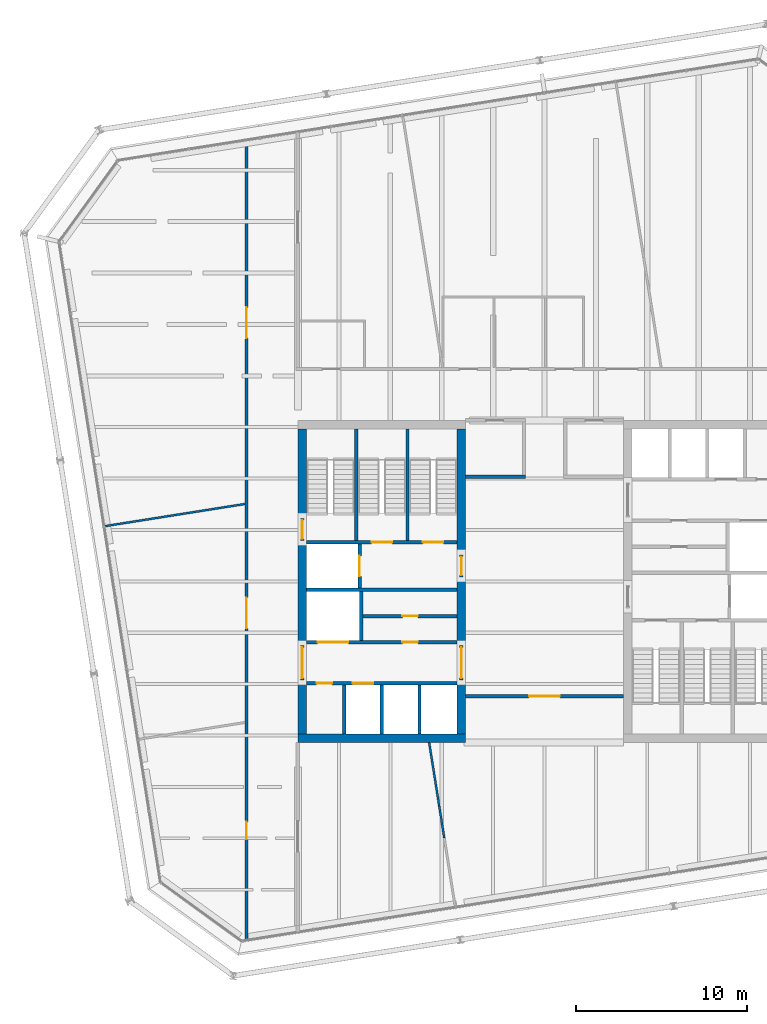
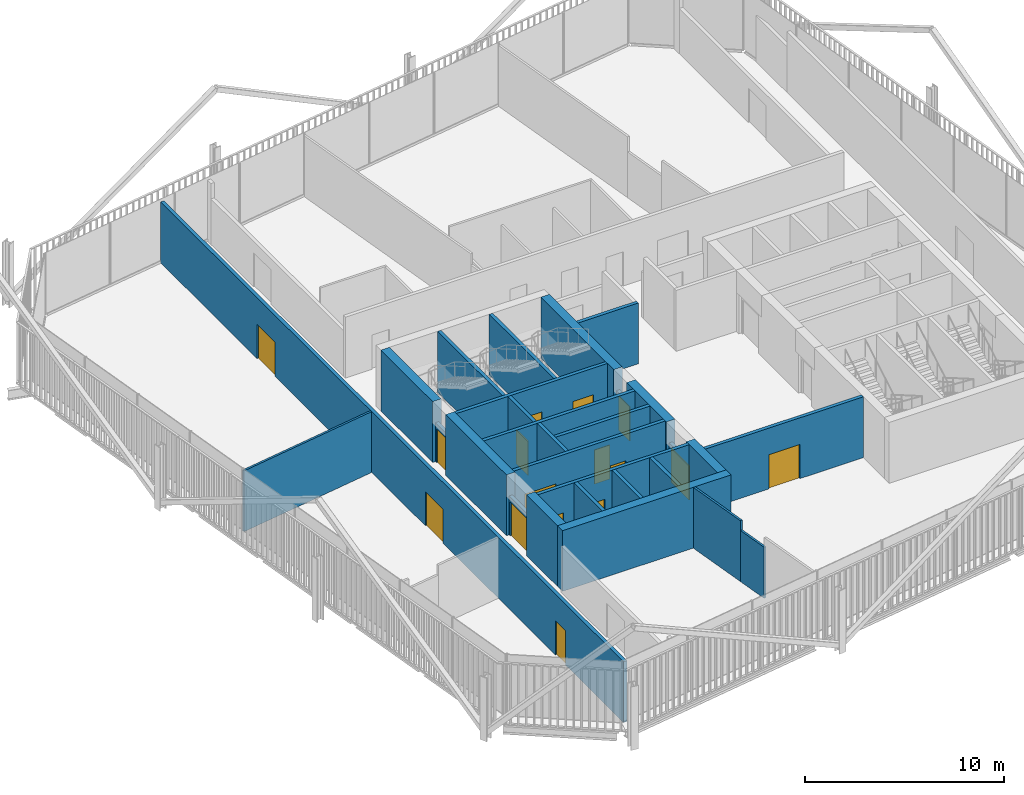
# One storey, part 16 of 20: 29 walls, 16 doors, 16 openings.
"""IFC4 building model written with IfcOpenShell, lengths in metres."""

from ifc_helpers import new_model, si_unit, direction, frame, frame_2d, origin, place, context, subcontext, project, spatial, rectangle, extrude, material, layer, layer_set, type_object, element, fill, save


model = new_model("IFC4")

# Units and contexts
model_context = context("Model", 3, precision=1e-05, world=origin(), true_north=direction((0.0, 1.0)))
body_context = subcontext(model_context, "Body", "Model", "MODEL_VIEW")
ifc_project = project(units=[si_unit("LENGTHUNIT", "METRE"), si_unit("AREAUNIT", "SQUARE_METRE"), si_unit("VOLUMEUNIT", "CUBIC_METRE"), si_unit("PLANEANGLEUNIT", "RADIAN"), si_unit("MASSUNIT", "GRAM", prefix="KILO")], contexts=[model_context])

# Site, building, storey
site_placement = place(None, origin())
site = spatial("IfcSite", under=ifc_project, at=site_placement, CompositionType="ELEMENT")
building_placement = place(site_placement, origin())
building = spatial("IfcBuilding", under=site, at=building_placement, Name="Millrace Tower", CompositionType="ELEMENT")
storey_placement = place(building_placement, frame((0.0, 0.0, 204.699951171875)))
storey = spatial("IfcBuildingStorey", under=building, at=storey_placement, Name="L46", CompositionType="ELEMENT", Elevation=204.699951171875)

# Walls
ifc_material_1 = material(Name="Concrete C60", Category="concrete")
ifc_layer_1 = layer(ifc_material_1, 0.5)
ifc_layer_set_1 = layer_set([ifc_layer_1], Name="Concrete C60")
wall_type_1 = type_object("IfcWallType", Name="Core wall 500 Concrete C60", PredefinedType="SHEAR", material=ifc_layer_set_1)
wall_1_placement = place(storey_placement, frame((-14.39990234375, -9.14990234375, 0.0), z_axis=(0.0, 0.0, 1.0), x_axis=(1.0, 0.0, 0.0)))
element("IfcWall", 1, at=wall_1_placement, inside=storey, type_object=wall_type_1, Name="Core wall W L46", PredefinedType="SHEAR", context=body_context, shape_type="SweptSolid", body=[
    extrude(rectangle(XDim=9.7998046875, YDim=0.5, at=frame_2d((4.89990234375, 0.0))), origin(), (0.0, 0.0, 1.0), 3.739990234375),
])
wall_2_placement = place(storey_placement, frame((-14.14990234375, -8.89990234375, 0.0), z_axis=(0.0, 0.0, 1.0), x_axis=(0.0, 1.0, 0.0)))
element("IfcWall", 2, at=wall_2_placement, inside=storey, type_object=wall_type_1, Name="Core wall W L46", PredefinedType="SHEAR", context=body_context, shape_type="SweptSolid", body=[
    extrude(rectangle(XDim=3.14990234375, YDim=0.5, at=frame_2d((1.574951171875, 0.0))), origin(), (0.0, 0.0, 1.0), 3.739990234375),
])
wall_3_placement = place(storey_placement, frame((-14.14990234375, -3.75, 0.0), z_axis=(0.0, 0.0, 1.0), x_axis=(0.0, 1.0, 0.0)))
element("IfcWall", 3, at=wall_3_placement, inside=storey, type_object=wall_type_1, Name="Core wall W L46", PredefinedType="SHEAR", context=body_context, shape_type="SweptSolid", body=[
    extrude(rectangle(XDim=6.1298828125, YDim=0.5, at=frame_2d((3.06494140625, 0.0))), origin(), (0.0, 0.0, 1.0), 3.739990234375),
])
wall_4_placement = place(storey_placement, frame((-14.14990234375, 3.679931640625, 0.0), z_axis=(0.0, 0.0, 1.0), x_axis=(0.0, 1.0, 0.0)))
element("IfcWall", 4, at=wall_4_placement, inside=storey, type_object=wall_type_1, Name="Core wall W L46", PredefinedType="SHEAR", context=body_context, shape_type="SweptSolid", body=[
    extrude(rectangle(XDim=5.219970703125, YDim=0.5, at=frame_2d((2.60986328125, 0.0))), origin(), (0.0, 0.0, 1.0), 3.739990234375),
])
wall_5_placement = place(storey_placement, frame((-4.85009765625, -8.89990234375, 0.0), z_axis=(0.0, 0.0, 1.0), x_axis=(0.0, 1.0, 0.0)))
element("IfcWall", 5, at=wall_5_placement, inside=storey, type_object=wall_type_1, Name="Core wall W L46", PredefinedType="SHEAR", context=body_context, shape_type="SweptSolid", body=[
    extrude(rectangle(XDim=3.14990234375, YDim=0.5, at=frame_2d((1.574951171875, 0.0))), origin(), (0.0, 0.0, 1.0), 3.739990234375),
])
wall_6_placement = place(storey_placement, frame((-4.85009765625, -3.75, 0.0), z_axis=(0.0, 0.0, 1.0), x_axis=(0.0, 1.0, 0.0)))
element("IfcWall", 6, at=wall_6_placement, inside=storey, type_object=wall_type_1, Name="Core wall W L46", PredefinedType="SHEAR", context=body_context, shape_type="SweptSolid", body=[
    extrude(rectangle(XDim=4.0, YDim=0.5, at=frame_2d((2.0, 0.0))), origin(), (0.0, 0.0, 1.0), 3.739990234375),
])
wall_7_placement = place(storey_placement, frame((-4.85009765625, 1.550048828125, 0.0), z_axis=(0.0, 0.0, 1.0), x_axis=(0.0, 1.0, 0.0)))
element("IfcWall", 7, at=wall_7_placement, inside=storey, type_object=wall_type_1, Name="Core wall W L46", PredefinedType="SHEAR", context=body_context, shape_type="SweptSolid", body=[
    extrude(rectangle(XDim=7.349853515625, YDim=0.5, at=frame_2d((3.6748046875, 0.0))), origin(), (0.0, 0.0, 1.0), 3.739990234375),
])

# Wall, opening, door
ifc_material_2 = material(Name="Masonry partition, fire-rated", Category="masonry")
ifc_layer_2 = layer(ifc_material_2, 0.199951171875)
ifc_layer_set_2 = layer_set([ifc_layer_2], Name="Masonry partition, fire-rated")
wall_type_2 = type_object("IfcWallType", Name="Corridor wall 200", PredefinedType="PARTITIONING", material=ifc_layer_set_2)
wall_8_placement = place(storey_placement, frame((-4.60009765625, -6.699951171875, 0.0), z_axis=(0.0, 0.0, 1.0), x_axis=(1.0, 0.0, 0.0)))
wall_8 = element("IfcWall", 8, at=wall_8_placement, inside=storey, type_object=wall_type_2, Name="Corridor wall L46", PredefinedType="PARTITIONING", context=body_context, shape_type="SweptSolid", body=[
    extrude(rectangle(XDim=9.2001953125, YDim=0.199951171875, at=frame_2d((4.60009765625, 0.0))), origin(), (0.0, 0.0, 1.0), 3.739990234375),
])
opening_1_placement = place(wall_8_placement, frame((3.699951171875, 0.0, 0.0)))
opening_1 = element("IfcOpeningElement", 9, at=opening_1_placement, cuts=wall_8, Name="Opening 46-P015", PredefinedType="OPENING", context=body_context, shape_type="SweptSolid", body=[
    extrude(rectangle(XDim=1.800048828125, YDim=2.10009765625, at=frame_2d((0.89990234375, 1.050048828125))), frame((0.0, 0.10986328125, 0.0), z_axis=(0.0, -1.0, 0.0), x_axis=(1.0, 0.0, 0.0)), (0.0, 0.0, 1.0), 0.219970703125),
])
ifc_material_3 = material(Name="Steel door set, fire-rated", Category="steel")
door_type_1 = type_object("IfcDoorType", Name="Corridor door 1800 x 2100", OperationType="DOUBLE_DOOR_SINGLE_SWING", PredefinedType="DOOR", material=ifc_material_3)
door_1_placement = place(opening_1_placement, origin())
door_1 = element("IfcDoor", 10, at=door_1_placement, inside=storey, type_object=door_type_1, Name="Door 46-P015", OperationType="DOUBLE_DOOR_SINGLE_SWING", OverallHeight=2.10009765625, OverallWidth=1.800048828125, PredefinedType="DOOR", context=body_context, shape_type="SweptSolid", body=[
    extrude(rectangle(XDim=1.800048828125, YDim=2.10009765625, at=frame_2d((0.89990234375, 1.050048828125))), frame((0.0, 0.02490234375, 0.0), z_axis=(0.0, -1.0, 0.0), x_axis=(1.0, 0.0, 0.0)), (0.0, 0.0, 1.0), 0.050048828125),
])
fill(opening_1, door_1)

# Wall
wall_9_placement = place(storey_placement, frame((-4.60009765625, 6.10009765625, 0.0), z_axis=(0.0, 0.0, 1.0), x_axis=(1.0, 0.0, 0.0)))
element("IfcWall", 11, at=wall_9_placement, inside=storey, type_object=wall_type_2, Name="Corridor wall L46", PredefinedType="PARTITIONING", context=body_context, shape_type="SweptSolid", body=[
    extrude(rectangle(XDim=3.5, YDim=0.199951171875, at=frame_2d((1.75, 0.0))), origin(), (0.0, 0.0, 1.0), 3.739990234375),
])

# Wall, openings, doors
wall_10_placement = place(storey_placement, frame((-17.39990234375, -20.9111328125, 0.0), z_axis=(0.0, 0.0, 1.0), x_axis=(0.0, 1.0, 0.0)))
wall_10 = element("IfcWall", 12, at=wall_10_placement, inside=storey, type_object=wall_type_2, Name="Corridor wall L46", PredefinedType="PARTITIONING", context=body_context, shape_type="SweptSolid", body=[
    extrude(rectangle(XDim=46.634033203125, YDim=0.199951171875, at=frame_2d((23.31689453125, 0.0))), origin(), (0.0, 0.0, 1.0), 3.739990234375),
])
opening_2_placement = place(wall_10_placement, frame((5.8681640625, 0.0, 0.0)))
opening_2 = element("IfcOpeningElement", 13, at=opening_2_placement, cuts=wall_10, Name="Opening 46-P003", PredefinedType="OPENING", context=body_context, shape_type="SweptSolid", body=[
    extrude(rectangle(XDim=1.0, YDim=2.10009765625, at=frame_2d((0.5, 1.050048828125))), frame((0.0, 0.10986328125, 0.0), z_axis=(0.0, -1.0, 0.0), x_axis=(1.0, 0.0, 0.0)), (0.0, 0.0, 1.0), 0.219970703125),
])
opening_3_placement = place(wall_10_placement, frame((18.16455078125, 0.0, 0.0)))
opening_3 = element("IfcOpeningElement", 14, at=opening_3_placement, cuts=wall_10, Name="Opening 46-P004", PredefinedType="OPENING", context=body_context, shape_type="SweptSolid", body=[
    extrude(rectangle(XDim=1.800048828125, YDim=2.10009765625, at=frame_2d((0.89990234375, 1.050048828125))), frame((0.0, 0.10986328125, 0.0), z_axis=(0.0, -1.0, 0.0), x_axis=(1.0, 0.0, 0.0)), (0.0, 0.0, 1.0), 0.219970703125),
])
opening_4_placement = place(wall_10_placement, frame((35.11328125, 0.0, 0.0)))
opening_4 = element("IfcOpeningElement", 15, at=opening_4_placement, cuts=wall_10, Name="Opening 46-P005", PredefinedType="OPENING", context=body_context, shape_type="SweptSolid", body=[
    extrude(rectangle(XDim=1.800048828125, YDim=2.10009765625, at=frame_2d((0.89990234375, 1.050048828125))), frame((0.0, 0.10986328125, 0.0), z_axis=(0.0, -1.0, 0.0), x_axis=(1.0, 0.0, 0.0)), (0.0, 0.0, 1.0), 0.219970703125),
])
ifc_material_4 = material(Name="Steel door set, fire-rated", Category="steel")
door_type_2 = type_object("IfcDoorType", Name="Corridor door 1000 x 2100", OperationType="SINGLE_SWING_LEFT", PredefinedType="DOOR", material=ifc_material_4)
door_2_placement = place(opening_2_placement, origin())
door_2 = element("IfcDoor", 16, at=door_2_placement, inside=storey, type_object=door_type_2, Name="Door 46-P003", OperationType="SINGLE_SWING_LEFT", OverallHeight=2.10009765625, OverallWidth=1.0, PredefinedType="DOOR", context=body_context, shape_type="SweptSolid", body=[
    extrude(rectangle(XDim=1.0, YDim=2.10009765625, at=frame_2d((0.5, 1.050048828125))), frame((0.0, 0.02490234375, 0.0), z_axis=(0.0, -1.0, 0.0), x_axis=(1.0, 0.0, 0.0)), (0.0, 0.0, 1.0), 0.050048828125),
])
fill(opening_2, door_2)
door_3_placement = place(opening_3_placement, origin())
door_3 = element("IfcDoor", 17, at=door_3_placement, inside=storey, type_object=door_type_1, Name="Door 46-P004", OperationType="DOUBLE_DOOR_SINGLE_SWING", OverallHeight=2.10009765625, OverallWidth=1.800048828125, PredefinedType="DOOR", context=body_context, shape_type="SweptSolid", body=[
    extrude(rectangle(XDim=1.800048828125, YDim=2.10009765625, at=frame_2d((0.89990234375, 1.050048828125))), frame((0.0, 0.02490234375, 0.0), z_axis=(0.0, -1.0, 0.0), x_axis=(1.0, 0.0, 0.0)), (0.0, 0.0, 1.0), 0.050048828125),
])
fill(opening_3, door_3)
door_4_placement = place(opening_4_placement, frame((1.800048828125, 0.0, 0.0), z_axis=(0.0, 0.0, 1.0), x_axis=(-1.0, 0.0, 0.0)))
door_4 = element("IfcDoor", 18, at=door_4_placement, inside=storey, type_object=door_type_1, Name="Door 46-P005", OperationType="DOUBLE_DOOR_SINGLE_SWING", OverallHeight=2.10009765625, OverallWidth=1.800048828125, PredefinedType="DOOR", context=body_context, shape_type="SweptSolid", body=[
    extrude(rectangle(XDim=1.800048828125, YDim=2.10009765625, at=frame_2d((0.89990234375, 1.050048828125))), frame((0.0, 0.02490234375, 0.0), z_axis=(0.0, -1.0, 0.0), x_axis=(1.0, 0.0, 0.0)), (0.0, 0.0, 1.0), 0.050048828125),
])
fill(opening_4, door_4)

ifc_material_5 = material(Name="Masonry partition, fire-rated", Category="masonry")
ifc_layer_3 = layer(ifc_material_5, 0.199951171875)
ifc_layer_set_3 = layer_set([ifc_layer_3], Name="Masonry partition, fire-rated")
wall_type_3 = type_object("IfcWallType", Name="Lift shaft wall 200", PredefinedType="PARTITIONING", material=ifc_layer_set_3)
wall_11_placement = place(storey_placement, frame((-13.89990234375, -5.949951171875, 0.0), z_axis=(0.0, 0.0, 1.0), x_axis=(1.0, 0.0, 0.0)))
wall_11 = element("IfcWall", 19, at=wall_11_placement, inside=storey, type_object=wall_type_3, Name="Lift shaft wall W L46", PredefinedType="PARTITIONING", context=body_context, shape_type="SweptSolid", body=[
    extrude(rectangle(XDim=8.7998046875, YDim=0.199951171875, at=frame_2d((4.39990234375, 0.0))), origin(), (0.0, 0.0, 1.0), 3.739990234375),
])
opening_5_placement = place(wall_11_placement, frame((2.699951171875, 0.0, 0.0)))
opening_5 = element("IfcOpeningElement", 20, at=opening_5_placement, cuts=wall_11, Name="Opening 46-LD02", PredefinedType="OPENING", context=body_context, shape_type="SweptSolid", body=[
    extrude(rectangle(XDim=1.199951171875, YDim=2.10009765625, at=frame_2d((0.60009765625, 1.050048828125))), frame((0.0, 0.10986328125, 0.0), z_axis=(0.0, -1.0, 0.0), x_axis=(1.0, 0.0, 0.0)), (0.0, 0.0, 1.0), 0.219970703125),
])
opening_6_placement = place(wall_11_placement, frame((0.60009765625, 0.0, 0.0)))
opening_6 = element("IfcOpeningElement", 21, at=opening_6_placement, cuts=wall_11, Name="Opening 46-C005", PredefinedType="OPENING", context=body_context, shape_type="SweptSolid", body=[
    extrude(rectangle(XDim=0.89990234375, YDim=2.10009765625, at=frame_2d((0.449951171875, 1.050048828125))), frame((0.0, 0.10986328125, 0.0), z_axis=(0.0, -1.0, 0.0), x_axis=(1.0, 0.0, 0.0)), (0.0, 0.0, 1.0), 0.219970703125),
])
ifc_material_6 = material(Name="Stainless steel, fire-rated", Category="steel")
door_type_3 = type_object("IfcDoorType", Name="Lift landing door 1200 x 2100", OperationType="DOUBLE_DOOR_SLIDING", PredefinedType="DOOR", material=ifc_material_6)
door_5_placement = place(opening_5_placement, origin())
door_5 = element("IfcDoor", 22, at=door_5_placement, inside=storey, type_object=door_type_3, Name="Lift landing door LF2 L46", OperationType="DOUBLE_DOOR_SLIDING", OverallHeight=2.10009765625, OverallWidth=1.199951171875, PredefinedType="DOOR", context=body_context, shape_type="SweptSolid", body=[
    extrude(rectangle(XDim=1.199951171875, YDim=2.10009765625, at=frame_2d((0.60009765625, 1.050048828125))), frame((0.0, 0.02490234375, 0.0), z_axis=(0.0, -1.0, 0.0), x_axis=(1.0, 0.0, 0.0)), (0.0, 0.0, 1.0), 0.050048828125),
])
fill(opening_5, door_5)
ifc_material_7 = material(Name="Steel door, fire-rated", Category="steel")
door_type_4 = type_object("IfcDoorType", Name="Service room door 900 x 2100", OperationType="SINGLE_SWING_LEFT", PredefinedType="DOOR", material=ifc_material_7)
door_6_placement = place(opening_6_placement, frame((0.89990234375, 0.0, 0.0), z_axis=(0.0, 0.0, 1.0), x_axis=(-1.0, 0.0, 0.0)))
door_6 = element("IfcDoor", 23, at=door_6_placement, inside=storey, type_object=door_type_4, Name="Service room door 46-C005", OperationType="SINGLE_SWING_RIGHT", OverallHeight=2.10009765625, OverallWidth=0.89990234375, PredefinedType="DOOR", context=body_context, shape_type="SweptSolid", body=[
    extrude(rectangle(XDim=0.89990234375, YDim=2.10009765625, at=frame_2d((0.449951171875, 1.050048828125))), frame((0.0, 0.02490234375, 0.0), z_axis=(0.0, -1.0, 0.0), x_axis=(1.0, 0.0, 0.0)), (0.0, 0.0, 1.0), 0.050048828125),
])
fill(opening_6, door_6)

wall_12_placement = place(storey_placement, frame((-13.89990234375, -3.550048828125, 0.0), z_axis=(0.0, 0.0, 1.0), x_axis=(1.0, 0.0, 0.0)))
wall_12 = element("IfcWall", 24, at=wall_12_placement, inside=storey, type_object=wall_type_3, Name="Lift shaft wall W L46", PredefinedType="PARTITIONING", context=body_context, shape_type="SweptSolid", body=[
    extrude(rectangle(XDim=8.7998046875, YDim=0.199951171875, at=frame_2d((4.39990234375, 0.0))), origin(), (0.0, 0.0, 1.0), 3.739990234375),
])
opening_7_placement = place(wall_12_placement, frame((0.64990234375, 0.0, 0.0)))
opening_7 = element("IfcOpeningElement", 25, at=opening_7_placement, cuts=wall_12, Name="Opening 46-LD05", PredefinedType="OPENING", context=body_context, shape_type="SweptSolid", body=[
    extrude(rectangle(XDim=1.800048828125, YDim=2.10009765625, at=frame_2d((0.89990234375, 1.050048828125))), frame((0.0, 0.10986328125, 0.0), z_axis=(0.0, -1.0, 0.0), x_axis=(1.0, 0.0, 0.0)), (0.0, 0.0, 1.0), 0.219970703125),
])
opening_8_placement = place(wall_12_placement, frame((5.60009765625, 0.0, 0.0)))
opening_8 = element("IfcOpeningElement", 26, at=opening_8_placement, cuts=wall_12, Name="Opening 46-C006", PredefinedType="OPENING", context=body_context, shape_type="SweptSolid", body=[
    extrude(rectangle(XDim=0.89990234375, YDim=2.10009765625, at=frame_2d((0.449951171875, 1.050048828125))), frame((0.0, 0.10986328125, 0.0), z_axis=(0.0, -1.0, 0.0), x_axis=(1.0, 0.0, 0.0)), (0.0, 0.0, 1.0), 0.219970703125),
])
ifc_material_8 = material(Name="Stainless steel, fire-rated", Category="steel")
door_type_5 = type_object("IfcDoorType", Name="Lift landing door 1800 x 2100", OperationType="DOUBLE_DOOR_SLIDING", PredefinedType="DOOR", material=ifc_material_8)
door_7_placement = place(opening_7_placement, origin())
door_7 = element("IfcDoor", 27, at=door_7_placement, inside=storey, type_object=door_type_5, Name="Lift landing door LF5 L46", OperationType="DOUBLE_DOOR_SLIDING", OverallHeight=2.10009765625, OverallWidth=1.800048828125, PredefinedType="DOOR", context=body_context, shape_type="SweptSolid", body=[
    extrude(rectangle(XDim=1.800048828125, YDim=2.10009765625, at=frame_2d((0.89990234375, 1.050048828125))), frame((0.0, 0.02490234375, 0.0), z_axis=(0.0, -1.0, 0.0), x_axis=(1.0, 0.0, 0.0)), (0.0, 0.0, 1.0), 0.050048828125),
])
fill(opening_7, door_7)
door_8_placement = place(opening_8_placement, frame((0.89990234375, 0.0, 0.0), z_axis=(0.0, 0.0, 1.0), x_axis=(-1.0, 0.0, 0.0)))
door_8 = element("IfcDoor", 28, at=door_8_placement, inside=storey, type_object=door_type_4, Name="Service room door 46-C006", OperationType="SINGLE_SWING_LEFT", OverallHeight=2.10009765625, OverallWidth=0.89990234375, PredefinedType="DOOR", context=body_context, shape_type="SweptSolid", body=[
    extrude(rectangle(XDim=0.89990234375, YDim=2.10009765625, at=frame_2d((0.449951171875, 1.050048828125))), frame((0.0, 0.02490234375, 0.0), z_axis=(0.0, -1.0, 0.0), x_axis=(1.0, 0.0, 0.0)), (0.0, 0.0, 1.0), 0.050048828125),
])
fill(opening_8, door_8)

# Wall
wall_13_placement = place(storey_placement, frame((-13.89990234375, -0.5, 0.0), z_axis=(0.0, 0.0, 1.0), x_axis=(1.0, 0.0, 0.0)))
element("IfcWall", 29, at=wall_13_placement, inside=storey, type_object=wall_type_3, Name="Lift shaft wall W L46", PredefinedType="PARTITIONING", context=body_context, shape_type="SweptSolid", body=[
    extrude(rectangle(XDim=8.7998046875, YDim=0.199951171875, at=frame_2d((4.39990234375, 0.0))), origin(), (0.0, 0.0, 1.0), 3.739990234375),
])

# Wall, opening, door
wall_14_placement = place(storey_placement, frame((-10.800048828125, -0.39990234375, 0.0), z_axis=(0.0, 0.0, 1.0), x_axis=(0.0, 1.0, 0.0)))
wall_14 = element("IfcWall", 30, at=wall_14_placement, inside=storey, type_object=wall_type_3, Name="Lift shaft wall W L46", PredefinedType="PARTITIONING", context=body_context, shape_type="SweptSolid", body=[
    extrude(rectangle(XDim=2.579833984375, YDim=0.199951171875, at=frame_2d((1.2900390625, 0.0))), origin(), (0.0, 0.0, 1.0), 3.739990234375),
])
opening_9_placement = place(wall_14_placement, frame((0.68994140625, 0.0, 0.0)))
opening_9 = element("IfcOpeningElement", 31, at=opening_9_placement, cuts=wall_14, Name="Opening 46-LD08", PredefinedType="OPENING", context=body_context, shape_type="SweptSolid", body=[
    extrude(rectangle(XDim=1.199951171875, YDim=2.10009765625, at=frame_2d((0.60009765625, 1.050048828125))), frame((0.0, 0.10986328125, 0.0), z_axis=(0.0, -1.0, 0.0), x_axis=(1.0, 0.0, 0.0)), (0.0, 0.0, 1.0), 0.219970703125),
])
door_9_placement = place(opening_9_placement, origin())
door_9 = element("IfcDoor", 32, at=door_9_placement, inside=storey, type_object=door_type_3, Name="Lift landing door LF8 L46", OperationType="DOUBLE_DOOR_SLIDING", OverallHeight=2.10009765625, OverallWidth=1.199951171875, PredefinedType="DOOR", context=body_context, shape_type="SweptSolid", body=[
    extrude(rectangle(XDim=1.199951171875, YDim=2.10009765625, at=frame_2d((0.60009765625, 1.050048828125))), frame((0.0, 0.02490234375, 0.0), z_axis=(0.0, -1.0, 0.0), x_axis=(1.0, 0.0, 0.0)), (0.0, 0.0, 1.0), 0.050048828125),
])
fill(opening_9, door_9)

# Walls
for number, where, z_axis, x_axis, name in (
    (33, (-11.699951171875, -8.89990234375, 0.0), (0.0, 0.0, 1.0), (0.0, 1.0, 0.0), "Lift shaft wall W L46"),
    (34, (-9.5, -8.89990234375, 0.0), (0.0, 0.0, 1.0), (0.0, 1.0, 0.0), "Lift shaft wall W L46"),
    (35, (-7.300048828125, -8.89990234375, 0.0), (0.0, 0.0, 1.0), (0.0, 1.0, 0.0), "Lift shaft wall W L46"),
    (36, (-10.699951171875, -3.449951171875, 0.0), (0.0, 0.0, 1.0), (0.0, 1.0, 0.0), "Lift shaft wall W L46"),
):
    element("IfcWall", number, at=place(storey_placement, frame(where, z_axis=z_axis, x_axis=x_axis)), inside=storey, type_object=wall_type_3, Name=name, PredefinedType="PARTITIONING", context=body_context, shape_type="SweptSolid", body=[
        extrude(rectangle(XDim=2.849853515625, YDim=0.199951171875, at=frame_2d((1.4248046875, 0.0))), origin(), (0.0, 0.0, 1.0), 3.739990234375),
    ])

# Wall, opening, door
ifc_material_9 = material(Name="Masonry partition, fire-rated", Category="masonry")
ifc_layer_4 = layer(ifc_material_9, 0.199951171875)
ifc_layer_set_4 = layer_set([ifc_layer_4], Name="Masonry partition, fire-rated")
wall_type_4 = type_object("IfcWallType", Name="Lobby wall 200", PredefinedType="PARTITIONING", material=ifc_layer_set_4)
wall_15_placement = place(storey_placement, frame((-14.14990234375, -5.75, 0.0), z_axis=(0.0, 0.0, 1.0), x_axis=(0.0, 1.0, 0.0)))
wall_15 = element("IfcWall", 37, at=wall_15_placement, inside=storey, type_object=wall_type_4, Name="Lobby wall W L46", PredefinedType="PARTITIONING", context=body_context, shape_type="SweptSolid", body=[
    extrude(rectangle(XDim=2.0, YDim=0.199951171875, at=frame_2d((1.0, 0.0))), origin(), (0.0, 0.0, 1.0), 2.400146484375),
])
opening_10_placement = place(wall_15_placement, frame((0.10009765625, 0.0, 0.0)))
opening_10 = element("IfcOpeningElement", 38, at=opening_10_placement, cuts=wall_15, Name="Opening 46-C001", PredefinedType="OPENING", context=body_context, shape_type="SweptSolid", body=[
    extrude(rectangle(XDim=1.800048828125, YDim=2.10009765625, at=frame_2d((0.89990234375, 1.050048828125))), frame((0.0, 0.10986328125, 0.0), z_axis=(0.0, -1.0, 0.0), x_axis=(1.0, 0.0, 0.0)), (0.0, 0.0, 1.0), 0.219970703125),
])
ifc_material_10 = material(Name="Steel door, fire-rated", Category="steel")
door_type_6 = type_object("IfcDoorType", Name="Lobby door 1800 x 2100", OperationType="DOUBLE_DOOR_SINGLE_SWING", PredefinedType="DOOR", material=ifc_material_10)
door_10_placement = place(opening_10_placement, origin())
door_10 = element("IfcDoor", 39, at=door_10_placement, inside=storey, type_object=door_type_6, Name="Lobby door 46-C001", OperationType="DOUBLE_DOOR_SINGLE_SWING", OverallHeight=2.10009765625, OverallWidth=1.800048828125, PredefinedType="DOOR", context=body_context, shape_type="SweptSolid", body=[
    extrude(rectangle(XDim=1.800048828125, YDim=2.10009765625, at=frame_2d((0.89990234375, 1.050048828125))), frame((0.0, 0.02490234375, 0.0), z_axis=(0.0, -1.0, 0.0), x_axis=(1.0, 0.0, 0.0)), (0.0, 0.0, 1.0), 0.050048828125),
])
fill(opening_10, door_10)

wall_16_placement = place(storey_placement, frame((-4.85009765625, -5.75, 0.0), z_axis=(0.0, 0.0, 1.0), x_axis=(0.0, 1.0, 0.0)))
wall_16 = element("IfcWall", 40, at=wall_16_placement, inside=storey, type_object=wall_type_4, Name="Lobby wall W L46", PredefinedType="PARTITIONING", context=body_context, shape_type="SweptSolid", body=[
    extrude(rectangle(XDim=2.0, YDim=0.199951171875, at=frame_2d((1.0, 0.0))), origin(), (0.0, 0.0, 1.0), 2.400146484375),
])
opening_11_placement = place(wall_16_placement, frame((0.10009765625, 0.0, 0.0)))
opening_11 = element("IfcOpeningElement", 41, at=opening_11_placement, cuts=wall_16, Name="Opening 46-C003", PredefinedType="OPENING", context=body_context, shape_type="SweptSolid", body=[
    extrude(rectangle(XDim=1.800048828125, YDim=2.10009765625, at=frame_2d((0.89990234375, 1.050048828125))), frame((0.0, 0.10986328125, 0.0), z_axis=(0.0, -1.0, 0.0), x_axis=(1.0, 0.0, 0.0)), (0.0, 0.0, 1.0), 0.219970703125),
])
door_11_placement = place(opening_11_placement, frame((1.800048828125, 0.0, 0.0), z_axis=(0.0, 0.0, 1.0), x_axis=(-1.0, 0.0, 0.0)))
door_11 = element("IfcDoor", 42, at=door_11_placement, inside=storey, type_object=door_type_6, Name="Lobby door 46-C003", OperationType="DOUBLE_DOOR_SINGLE_SWING", OverallHeight=2.10009765625, OverallWidth=1.800048828125, PredefinedType="DOOR", context=body_context, shape_type="SweptSolid", body=[
    extrude(rectangle(XDim=1.800048828125, YDim=2.10009765625, at=frame_2d((0.89990234375, 1.050048828125))), frame((0.0, 0.02490234375, 0.0), z_axis=(0.0, -1.0, 0.0), x_axis=(1.0, 0.0, 0.0)), (0.0, 0.0, 1.0), 0.050048828125),
])
fill(opening_11, door_11)

wall_17_placement = place(storey_placement, frame((-4.85009765625, 0.25, 0.0), z_axis=(0.0, 0.0, 1.0), x_axis=(0.0, 1.0, 0.0)))
wall_17 = element("IfcWall", 43, at=wall_17_placement, inside=storey, type_object=wall_type_4, Name="Lobby wall W L46", PredefinedType="PARTITIONING", context=body_context, shape_type="SweptSolid", body=[
    extrude(rectangle(XDim=1.300048828125, YDim=0.199951171875, at=frame_2d((0.64990234375, 0.0))), origin(), (0.0, 0.0, 1.0), 2.400146484375),
])
opening_12_placement = place(wall_17_placement, frame((0.10009765625, 0.0, 0.0)))
opening_12 = element("IfcOpeningElement", 44, at=opening_12_placement, cuts=wall_17, Name="Opening 46-C004", PredefinedType="OPENING", context=body_context, shape_type="SweptSolid", body=[
    extrude(rectangle(XDim=1.10009765625, YDim=2.10009765625, at=frame_2d((0.550048828125, 1.050048828125))), frame((0.0, 0.10986328125, 0.0), z_axis=(0.0, -1.0, 0.0), x_axis=(1.0, 0.0, 0.0)), (0.0, 0.0, 1.0), 0.219970703125),
])
ifc_material_11 = material(Name="Steel door, fire-rated", Category="steel")
door_type_7 = type_object("IfcDoorType", Name="Lobby door 1100 x 2100", OperationType="SINGLE_SWING_LEFT", PredefinedType="DOOR", material=ifc_material_11)
door_12_placement = place(opening_12_placement, frame((1.10009765625, 0.0, 0.0), z_axis=(0.0, 0.0, 1.0), x_axis=(-1.0, 0.0, 0.0)))
door_12 = element("IfcDoor", 45, at=door_12_placement, inside=storey, type_object=door_type_7, Name="Lobby door 46-C004", OperationType="SINGLE_SWING_LEFT", OverallHeight=2.10009765625, OverallWidth=1.10009765625, PredefinedType="DOOR", context=body_context, shape_type="SweptSolid", body=[
    extrude(rectangle(XDim=1.10009765625, YDim=2.10009765625, at=frame_2d((0.550048828125, 1.050048828125))), frame((0.0, 0.02490234375, 0.0), z_axis=(0.0, -1.0, 0.0), x_axis=(1.0, 0.0, 0.0)), (0.0, 0.0, 1.0), 0.050048828125),
])
fill(opening_12, door_12)

# Walls
ifc_material_12 = material(Name="Gypsum board partition")
ifc_layer_5 = layer(ifc_material_12, 0.1201171875)
ifc_layer_set_5 = layer_set([ifc_layer_5], Name="Gypsum board partition")
wall_type_5 = type_object("IfcWallType", Name="Partition wall 120", PredefinedType="PARTITIONING", material=ifc_layer_set_5)
wall_18_placement = place(storey_placement, frame((-6.737060546875, -9.39990234375, 0.0), z_axis=(0.0, 0.0, 1.0), x_axis=(0.156382059487, -0.987696639394, 0.0)))
element("IfcWall", 46, at=wall_18_placement, inside=storey, type_object=wall_type_5, Name="Partition wall L46", PredefinedType="PARTITIONING", context=body_context, shape_type="SweptSolid", body=[
    extrude(rectangle(XDim=3.765625, YDim=0.1201171875, at=frame_2d((1.8828125, 0.0))), origin(), (0.0, 0.0, 1.0), 3.739990234375),
])
wall_19_placement = place(storey_placement, frame((-6.148193359375, -13.119140625, 0.0), z_axis=(0.0, 0.0, 1.0), x_axis=(0.1562533807, -0.987717004521, 0.0)))
element("IfcWall", 47, at=wall_19_placement, inside=storey, type_object=wall_type_5, Name="Partition wall L46", PredefinedType="PARTITIONING", context=body_context, shape_type="SweptSolid", body=[
    extrude(rectangle(XDim=1.896728515625, YDim=0.1201171875, at=frame_2d((0.9482421875, 0.0))), origin(), (0.0, 0.0, 1.0), 3.140625),
])
wall_20_placement = place(storey_placement, frame((-25.675048828125, 3.22119140625, 0.0), z_axis=(0.0, 0.0, 1.0), x_axis=(0.987685127448, 0.156454750705, 0.0)))
element("IfcWall", 48, at=wall_20_placement, inside=storey, type_object=wall_type_5, Name="Partition wall L46", PredefinedType="PARTITIONING", context=body_context, shape_type="SweptSolid", body=[
    extrude(rectangle(XDim=8.2783203125, YDim=0.1201171875, at=frame_2d((4.13916015625, 0.0))), origin(), (0.0, 0.0, 1.0), 3.739990234375),
])

# Wall, opening, door
ifc_material_13 = material(Name="Masonry partition, fire-rated", Category="masonry")
ifc_layer_6 = layer(ifc_material_13, 0.199951171875)
ifc_layer_set_6 = layer_set([ifc_layer_6], Name="Masonry partition, fire-rated")
wall_type_6 = type_object("IfcWallType", Name="Room partition 200", PredefinedType="PARTITIONING", material=ifc_layer_set_6)
wall_21_placement = place(storey_placement, frame((-10.60009765625, -2.02490234375, 0.0), z_axis=(0.0, 0.0, 1.0), x_axis=(1.0, 0.0, 0.0)))
wall_21 = element("IfcWall", 49, at=wall_21_placement, inside=storey, type_object=wall_type_6, Name="Room partition W L46", PredefinedType="PARTITIONING", context=body_context, shape_type="SweptSolid", body=[
    extrude(rectangle(XDim=5.5, YDim=0.199951171875, at=frame_2d((2.75, 0.0))), origin(), (0.0, 0.0, 1.0), 3.739990234375),
])
opening_13_placement = place(wall_21_placement, frame((2.300048828125, 0.0, 0.0)))
opening_13 = element("IfcOpeningElement", 50, at=opening_13_placement, cuts=wall_21, Name="Opening 46-C007", PredefinedType="OPENING", context=body_context, shape_type="SweptSolid", body=[
    extrude(rectangle(XDim=0.89990234375, YDim=2.10009765625, at=frame_2d((0.449951171875, 1.050048828125))), frame((0.0, 0.10986328125, 0.0), z_axis=(0.0, -1.0, 0.0), x_axis=(1.0, 0.0, 0.0)), (0.0, 0.0, 1.0), 0.219970703125),
])
door_13_placement = place(opening_13_placement, origin())
door_13 = element("IfcDoor", 51, at=door_13_placement, inside=storey, type_object=door_type_4, Name="Service room door 46-C007", OperationType="SINGLE_SWING_RIGHT", OverallHeight=2.10009765625, OverallWidth=0.89990234375, PredefinedType="DOOR", context=body_context, shape_type="SweptSolid", body=[
    extrude(rectangle(XDim=0.89990234375, YDim=2.10009765625, at=frame_2d((0.449951171875, 1.050048828125))), frame((0.0, 0.02490234375, 0.0), z_axis=(0.0, -1.0, 0.0), x_axis=(1.0, 0.0, 0.0)), (0.0, 0.0, 1.0), 0.050048828125),
])
fill(opening_13, door_13)

ifc_material_14 = material(Name="Concrete C40", Category="concrete")
ifc_layer_7 = layer(ifc_material_14, 0.199951171875)
ifc_layer_set_7 = layer_set([ifc_layer_7], Name="Concrete C40")
wall_type_7 = type_object("IfcWallType", Name="Stair enclosure wall 200 Concrete C40", PredefinedType="SHEAR", material=ifc_layer_set_7)
wall_22_placement = place(storey_placement, frame((-14.14990234375, 2.3798828125, 0.0), z_axis=(0.0, 0.0, 1.0), x_axis=(0.0, 1.0, 0.0)))
wall_22 = element("IfcWall", 52, at=wall_22_placement, inside=storey, type_object=wall_type_7, Name="Stair enclosure wall W L46", PredefinedType="SHEAR", context=body_context, shape_type="SweptSolid", body=[
    extrude(rectangle(XDim=1.300048828125, YDim=0.199951171875, at=frame_2d((0.64990234375, 0.0))), origin(), (0.0, 0.0, 1.0), 2.400146484375),
])
opening_14_placement = place(wall_22_placement, frame((0.10009765625, 0.0, 0.0)))
opening_14 = element("IfcOpeningElement", 53, at=opening_14_placement, cuts=wall_22, Name="Opening 46-C002", PredefinedType="OPENING", context=body_context, shape_type="SweptSolid", body=[
    extrude(rectangle(XDim=1.10009765625, YDim=2.10009765625, at=frame_2d((0.550048828125, 1.050048828125))), frame((0.0, 0.10986328125, 0.0), z_axis=(0.0, -1.0, 0.0), x_axis=(1.0, 0.0, 0.0)), (0.0, 0.0, 1.0), 0.219970703125),
])
ifc_material_15 = material(Name="Steel door, fire-rated", Category="steel")
door_type_8 = type_object("IfcDoorType", Name="Stair door 1100 x 2100", OperationType="SINGLE_SWING_LEFT", PredefinedType="DOOR", material=ifc_material_15)
door_14_placement = place(opening_14_placement, origin())
door_14 = element("IfcDoor", 54, at=door_14_placement, inside=storey, type_object=door_type_8, Name="Stair door 46-C002", OperationType="SINGLE_SWING_LEFT", OverallHeight=2.10009765625, OverallWidth=1.10009765625, PredefinedType="DOOR", context=body_context, shape_type="SweptSolid", body=[
    extrude(rectangle(XDim=1.10009765625, YDim=2.10009765625, at=frame_2d((0.550048828125, 1.050048828125))), frame((0.0, 0.02490234375, 0.0), z_axis=(0.0, -1.0, 0.0), x_axis=(1.0, 0.0, 0.0)), (0.0, 0.0, 1.0), 0.050048828125),
])
fill(opening_14, door_14)

# Wall, openings, doors
wall_23_placement = place(storey_placement, frame((-13.89990234375, 2.280029296875, 0.0), z_axis=(0.0, 0.0, 1.0), x_axis=(1.0, 0.0, 0.0)))
wall_23 = element("IfcWall", 55, at=wall_23_placement, inside=storey, type_object=wall_type_7, Name="Stair enclosure wall W L46", PredefinedType="SHEAR", context=body_context, shape_type="SweptSolid", body=[
    extrude(rectangle(XDim=8.7998046875, YDim=0.199951171875, at=frame_2d((4.39990234375, 0.0))), origin(), (0.0, 0.0, 1.0), 3.739990234375),
])
opening_15_placement = place(wall_23_placement, frame((3.800048828125, 0.0, 0.0)))
opening_15 = element("IfcOpeningElement", 56, at=opening_15_placement, cuts=wall_23, Name="Opening 46-C008", PredefinedType="OPENING", context=body_context, shape_type="SweptSolid", body=[
    extrude(rectangle(XDim=1.199951171875, YDim=2.10009765625, at=frame_2d((0.60009765625, 1.050048828125))), frame((0.0, 0.10986328125, 0.0), z_axis=(0.0, -1.0, 0.0), x_axis=(1.0, 0.0, 0.0)), (0.0, 0.0, 1.0), 0.219970703125),
])
opening_16_placement = place(wall_23_placement, frame((6.800048828125, 0.0, 0.0)))
opening_16 = element("IfcOpeningElement", 57, at=opening_16_placement, cuts=wall_23, Name="Opening 46-C009", PredefinedType="OPENING", context=body_context, shape_type="SweptSolid", body=[
    extrude(rectangle(XDim=1.199951171875, YDim=2.10009765625, at=frame_2d((0.60009765625, 1.050048828125))), frame((0.0, 0.10986328125, 0.0), z_axis=(0.0, -1.0, 0.0), x_axis=(1.0, 0.0, 0.0)), (0.0, 0.0, 1.0), 0.219970703125),
])
ifc_material_16 = material(Name="Steel door, fire-rated", Category="steel")
door_type_9 = type_object("IfcDoorType", Name="Stair door 1200 x 2100", OperationType="SINGLE_SWING_LEFT", PredefinedType="DOOR", material=ifc_material_16)
door_15_placement = place(opening_15_placement, frame((1.199951171875, 0.0, 0.0), z_axis=(0.0, 0.0, 1.0), x_axis=(-1.0, 0.0, 0.0)))
door_15 = element("IfcDoor", 58, at=door_15_placement, inside=storey, type_object=door_type_9, Name="Stair door 46-C008", OperationType="SINGLE_SWING_RIGHT", OverallHeight=2.10009765625, OverallWidth=1.199951171875, PredefinedType="DOOR", context=body_context, shape_type="SweptSolid", body=[
    extrude(rectangle(XDim=1.199951171875, YDim=2.10009765625, at=frame_2d((0.60009765625, 1.050048828125))), frame((0.0, 0.02490234375, 0.0), z_axis=(0.0, -1.0, 0.0), x_axis=(1.0, 0.0, 0.0)), (0.0, 0.0, 1.0), 0.050048828125),
])
fill(opening_15, door_15)
door_16_placement = place(opening_16_placement, frame((1.199951171875, 0.0, 0.0), z_axis=(0.0, 0.0, 1.0), x_axis=(-1.0, 0.0, 0.0)))
door_16 = element("IfcDoor", 59, at=door_16_placement, inside=storey, type_object=door_type_9, Name="Stair door 46-C009", OperationType="SINGLE_SWING_LEFT", OverallHeight=2.10009765625, OverallWidth=1.199951171875, PredefinedType="DOOR", context=body_context, shape_type="SweptSolid", body=[
    extrude(rectangle(XDim=1.199951171875, YDim=2.10009765625, at=frame_2d((0.60009765625, 1.050048828125))), frame((0.0, 0.02490234375, 0.0), z_axis=(0.0, -1.0, 0.0), x_axis=(1.0, 0.0, 0.0)), (0.0, 0.0, 1.0), 0.050048828125),
])
fill(opening_16, door_16)

# Walls
for number, where, z_axis, x_axis, name in (
    (60, (-11.0, 2.3798828125, 0.0), (0.0, 0.0, 1.0), (0.0, 1.0, 0.0), "Stair enclosure wall W L46"),
    (61, (-8.0, 2.3798828125, 0.0), (0.0, 0.0, 1.0), (0.0, 1.0, 0.0), "Stair enclosure wall W L46"),
):
    element("IfcWall", number, at=place(storey_placement, frame(where, z_axis=z_axis, x_axis=x_axis)), inside=storey, type_object=wall_type_7, Name=name, PredefinedType="SHEAR", context=body_context, shape_type="SweptSolid", body=[
        extrude(rectangle(XDim=6.52001953125, YDim=0.199951171875, at=frame_2d((3.260009765625, 0.0))), origin(), (0.0, 0.0, 1.0), 3.739990234375),
    ])

save(model, "model.ifc")
